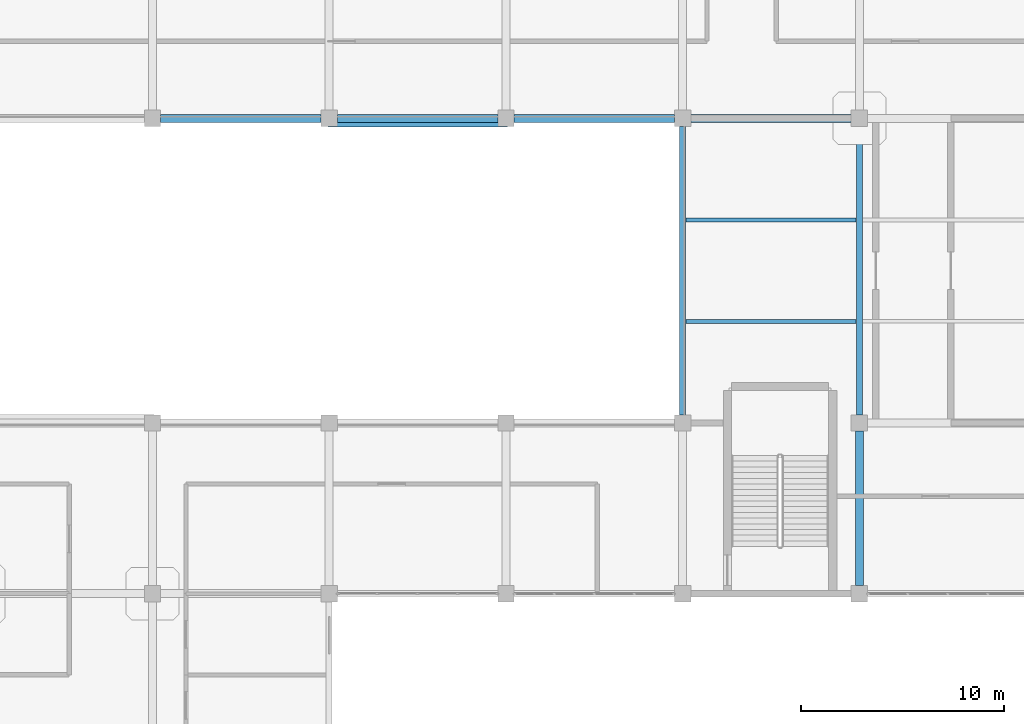
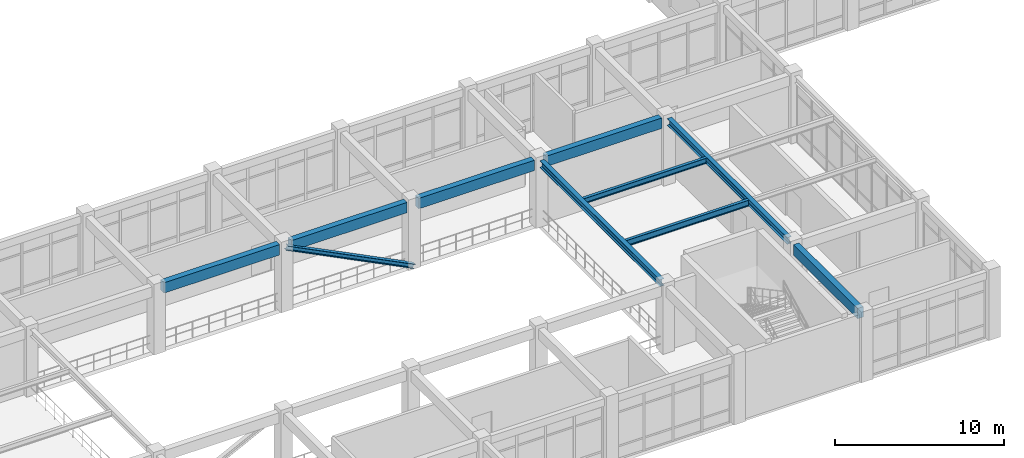
# One storey, part 39 of 96: 9 beams, 1 member.
"""IFC4 building model written with IfcOpenShell, lengths in metres."""

from ifc_helpers import new_model, si_unit, derived_unit, direction, frame, origin, origin_2d, place, context, subcontext, project, spatial, rectangle, i_section, extrude, material, material_profile, profile_set, type_object, element, save


model = new_model("IFC4")

# Units and contexts
model_context = context("Model", 3, precision=1e-05, world=origin(), true_north=direction((0.0, 1.0)))
body_context = subcontext(model_context, "Body", "Model", "MODEL_VIEW")
ifc_project = project(units=[si_unit("LENGTHUNIT", "METRE"), si_unit("AREAUNIT", "SQUARE_METRE"), si_unit("VOLUMEUNIT", "CUBIC_METRE"), si_unit("PLANEANGLEUNIT", "RADIAN"), si_unit("MASSUNIT", "GRAM", prefix="KILO"), derived_unit("THERMALTRANSMITTANCEUNIT", [(si_unit("MASSUNIT", "GRAM", prefix="KILO"), 1), (si_unit("TIMEUNIT", "SECOND"), -3), (si_unit("THERMODYNAMICTEMPERATUREUNIT", "KELVIN"), -1)])], contexts=[model_context])

# Site, building, storey
site_placement = place(None, origin())
site = spatial("IfcSite", under=ifc_project, at=site_placement, CompositionType="ELEMENT")
building_placement = place(site_placement, origin())
building = spatial("IfcBuilding", under=site, at=building_placement, Name="Qinzheling Arcade Emporium", CompositionType="ELEMENT")
storey_placement = place(building_placement, frame((0.0, 0.0, 21.60009765625)))
storey = spatial("IfcBuildingStorey", under=building, at=storey_placement, Name="L05", CompositionType="ELEMENT", Elevation=21.60009765625)

# Beams
ifc_material_1 = material(Name="Structural steel Q355B", Category="steel")
ifc_material_profile_1 = material_profile(ifc_material_1, i_section(OverallWidth=0.300048828125, OverallDepth=0.488037109375, WebThickness=0.010986328125, FlangeThickness=0.01806640625, FilletRadius=0.02197265625, at=origin_2d()), Name="HM 488x300x11x18", Category="steel")
ifc_profile_set_1 = profile_set([ifc_material_profile_1], Name="Structural steel Q355B")
beam_type_1 = type_object("IfcBeamType", Name="Atrium Bridge Girder HM488 Q355B", PredefinedType="USERDEFINED", material=ifc_profile_set_1)
for number, where, z_axis, x_axis, name in (
    (1, (87.0, 50.800048828125, 4.575927734375), (0.0, 1.0, 0.0), (-1.0, 0.0, 0.0), "Beam BM-L05-Y-11-G"),
    (2, (95.699951171875, 50.800048828125, 4.575927734375), (0.0, 1.0, 0.0), (-1.0, 0.0, 0.0), "Beam BM-L05-Y-12-G"),
):
    element("IfcBeam", number, at=place(storey_placement, frame(where, z_axis=z_axis, x_axis=x_axis)), inside=storey, type_object=beam_type_1, Name=name, ObjectType="TRANSFER_GIRDER", PredefinedType="USERDEFINED", context=body_context, shape_type="SweptSolid", body=[
        extrude(i_section(OverallWidth=0.300048828125, OverallDepth=0.488037109375, WebThickness=0.010986328125, FlangeThickness=0.01806640625, FilletRadius=0.02197265625, at=origin_2d()), origin(), (0.0, 0.0, 1.0), 14.199951171875),
    ])

# Member
ifc_material_profile_2 = material_profile(ifc_material_1, i_section(OverallWidth=0.300048828125, OverallDepth=0.300048828125, WebThickness=0.010009765625, FlangeThickness=0.014892578125, FilletRadius=0.01806640625, at=origin_2d()), Name="HW 300x300x10x15", Category="steel")
ifc_profile_set_2 = profile_set([ifc_material_profile_2], Name="Structural steel Q355B")
member_type = type_object("IfcMemberType", Name="Escalator Truss Stringer HW300 Q355B", PredefinedType="STRINGER", material=ifc_profile_set_2)
member_placement = place(storey_placement, frame((78.300048828125, 65.1201171875, 0.179931640625), z_axis=(-0.893608196207, 0.0, 0.448847849134), x_axis=(0.0, -1.0, 0.0)))
element("IfcMember", 3, at=member_placement, inside=storey, type_object=member_type, Name="Escalator Stringer ESC-STR-L05-2", PredefinedType="STRINGER", context=body_context, shape_type="SweptSolid", body=[
    extrude(i_section(OverallWidth=0.300048828125, OverallDepth=0.300048828125, WebThickness=0.010009765625, FlangeThickness=0.014892578125, FilletRadius=0.01806640625, at=origin_2d()), origin(), (0.0, 0.0, 1.0), 9.73583984375),
])

# Beams
ifc_material_2 = material(Name="Concrete C40", Category="concrete")
ifc_material_profile_3 = material_profile(ifc_material_2, rectangle(XDim=0.39990234375, YDim=0.75, at=origin_2d()), Name="RC 400x750", Category="concrete")
ifc_profile_set_3 = profile_set([ifc_material_profile_3], Name="Concrete C40")
beam_type_2 = type_object("IfcBeamType", Name="RC Interior Tie Beam 400x750 C40", PredefinedType="BEAM", material=ifc_profile_set_3)
for number, where, z_axis, x_axis, name in (
    (4, (61.300048828125, 65.39990234375, 4.44482421875), (1.0, 0.0, 0.0), (0.0, 1.0, 0.0), "Beam BM-L05-X-H-8"),
    (5, (70.0, 65.39990234375, 4.44482421875), (1.0, 0.0, 0.0), (0.0, 1.0, 0.0), "Beam BM-L05-X-H-9"),
):
    element("IfcBeam", number, at=place(storey_placement, frame(where, z_axis=z_axis, x_axis=x_axis)), inside=storey, type_object=beam_type_2, Name=name, PredefinedType="BEAM", context=body_context, shape_type="SweptSolid", body=[
        extrude(rectangle(XDim=0.39990234375, YDim=0.75, at=origin_2d()), origin(), (0.0, 0.0, 1.0), 7.89990234375),
    ])
for number, where, z_axis, x_axis, name in (
    (6, (78.699951171875, 65.39990234375, 4.44482421875), (1.0, 0.0, 0.0), (0.0, 1.0, 0.0), "Beam BM-L05-X-H-10"),
    (7, (87.39990234375, 65.39990234375, 4.44482421875), (1.0, 0.0, 0.0), (0.0, 1.0, 0.0), "Beam BM-L05-X-H-11"),
):
    element("IfcBeam", number, at=place(storey_placement, frame(where, z_axis=z_axis, x_axis=x_axis)), inside=storey, type_object=beam_type_2, Name=name, PredefinedType="BEAM", context=body_context, shape_type="SweptSolid", body=[
        extrude(rectangle(XDim=0.39990234375, YDim=0.75, at=origin_2d()), origin(), (0.0, 0.0, 1.0), 7.900146484375),
    ])
beam_1_placement = place(storey_placement, frame((95.699951171875, 42.39990234375, 4.44482421875), z_axis=(0.0, 1.0, 0.0), x_axis=(-1.0, 0.0, 0.0)))
element("IfcBeam", 8, at=beam_1_placement, inside=storey, type_object=beam_type_2, Name="Beam BM-L05-Y-12-F", PredefinedType="BEAM", context=body_context, shape_type="SweptSolid", body=[
    extrude(rectangle(XDim=0.39990234375, YDim=0.75, at=origin_2d()), origin(), (0.0, 0.0, 1.0), 7.60009765625),
])
ifc_material_profile_4 = material_profile(ifc_material_1, i_section(OverallWidth=0.199951171875, OverallDepth=0.449951171875, WebThickness=0.009033203125, FlangeThickness=0.013916015625, FilletRadius=0.01611328125, at=origin_2d()), Name="HN 450x200x9x14", Category="steel")
ifc_profile_set_4 = profile_set([ifc_material_profile_4], Name="Structural steel Q355B")
beam_type_3 = type_object("IfcBeamType", Name="Secondary Floor Joist HN450 Q355B", PredefinedType="JOIST", material=ifc_profile_set_4)
beam_2_placement = place(storey_placement, frame((87.155029296875, 55.39990234375, 4.594970703125), z_axis=(1.0, 0.0, 0.0), x_axis=(0.0, 1.0, 0.0)))
element("IfcBeam", 9, at=beam_2_placement, inside=storey, type_object=beam_type_3, Name="Secondary Joist JST-L05-11-1", PredefinedType="JOIST", context=body_context, shape_type="SweptSolid", body=[
    extrude(i_section(OverallWidth=0.199951171875, OverallDepth=0.449951171875, WebThickness=0.009033203125, FlangeThickness=0.013916015625, FilletRadius=0.01611328125, at=origin_2d()), origin(), (0.0, 0.0, 1.0), 8.389892578125),
])
ifc_material_profile_5 = material_profile(ifc_material_1, i_section(OverallWidth=0.199951171875, OverallDepth=0.39990234375, WebThickness=0.008056640625, FlangeThickness=0.012939453125, FilletRadius=0.01611328125, at=origin_2d()), Name="HN 400x200x8x13", Category="steel")
ifc_profile_set_5 = profile_set([ifc_material_profile_5], Name="Structural steel Q355B")
beam_type_4 = type_object("IfcBeamType", Name="Storm Eave Outlooker Joist HN400 Q355B", PredefinedType="JOIST", material=ifc_profile_set_5)
beam_3_placement = place(storey_placement, frame((87.155029296875, 60.39990234375, 4.619873046875), z_axis=(1.0, 0.0, 0.0), x_axis=(0.0, 1.0, 0.0)))
element("IfcBeam", 10, at=beam_3_placement, inside=storey, type_object=beam_type_4, Name="Secondary Joist JST-L05-11-2", PredefinedType="JOIST", context=body_context, shape_type="SweptSolid", body=[
    extrude(i_section(OverallWidth=0.199951171875, OverallDepth=0.39990234375, WebThickness=0.008056640625, FlangeThickness=0.012939453125, FilletRadius=0.01611328125, at=origin_2d()), origin(), (0.0, 0.0, 1.0), 8.389892578125),
])

save(model, "model.ifc")
